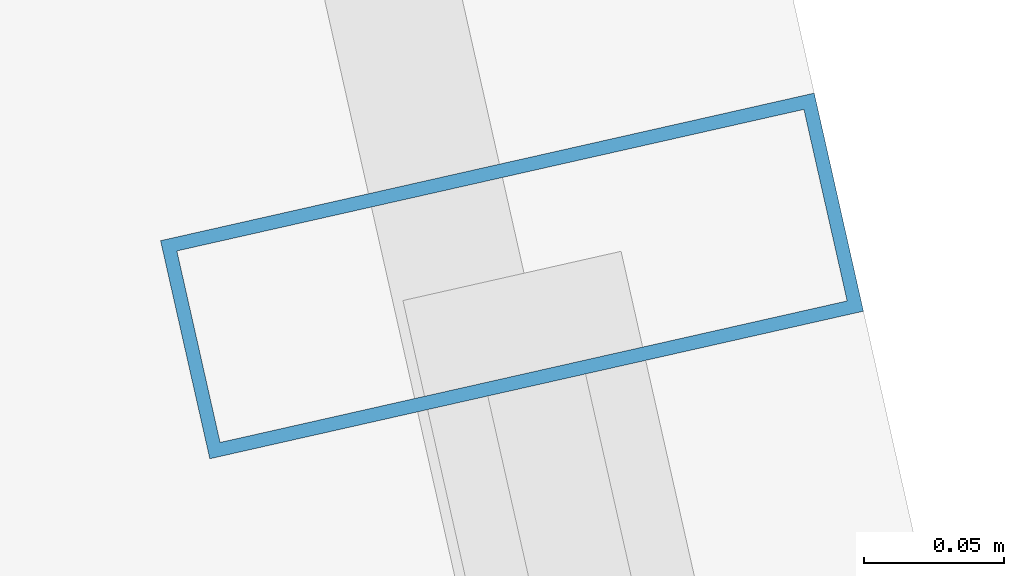
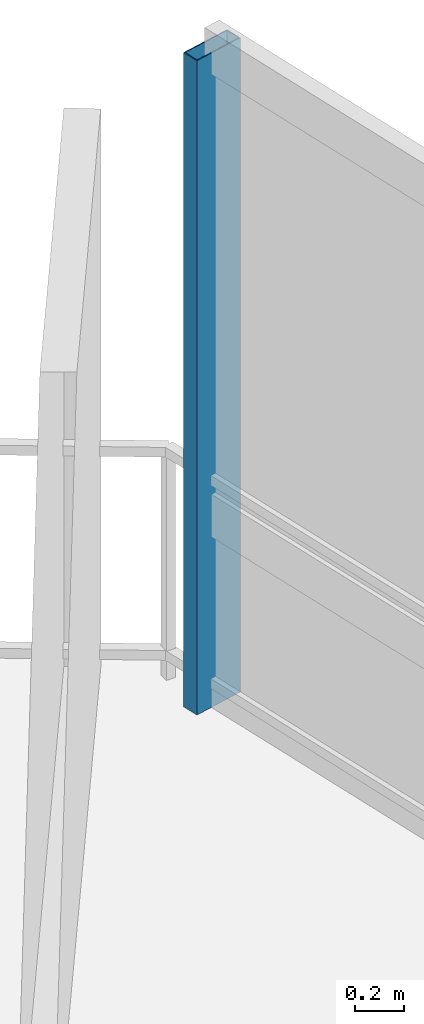
# One storey, part 12 of 19: 1 member, 1 element without a shape of its own.
"""IFC4 building model written with IfcOpenShell, lengths in metres."""

import ifcopenshell
import ifcopenshell.guid

model = None  # the IFC model being written
_history = None  # IfcOwnerHistory: only IFC2X3 demands one
_inside = {}  # id of a spatial element -> (the spatial element, [elements in it])
_under = {}  # id of a project, library or spatial element -> (it, [spatial elements below it])
_declared = {}  # id of a project -> (the project, [libraries it declares])
_typed = {}  # id of a type object -> (the type object, [elements of that type])
_made_of = {}  # id of a material, layer set ... -> (it, [elements and type objects made of it])


def new_model(schema):
    """Start an empty IFC model of exactly this schema.

    Asked for "IFC4X3", IfcOpenShell would pick the latest addendum, in which some entities
    have other attributes; the version numbers below select the first issue.
    IFC2X3 requires an IfcOwnerHistory on every rooted entity: one is made here for all.
    """
    global model, _history
    if schema == "IFC4X3":
        model = ifcopenshell.file(schema_version=(4, 3, 0, 0))
    else:
        model = ifcopenshell.file(schema=schema)
    _inside.clear()
    _under.clear()
    _declared.clear()
    _typed.clear()
    _made_of.clear()
    _history = None
    if model.schema == "IFC2X3":
        org = make("IfcOrganization", Name="unknown")
        user = make(
            "IfcPersonAndOrganization",
            ThePerson=make("IfcPerson", FamilyName="unknown"),
            TheOrganization=org,
        )
        app = make(
            "IfcApplication",
            ApplicationDeveloper=org,
            Version="unknown",
            ApplicationFullName="unknown",
            ApplicationIdentifier="unknown",
        )
        _history = make(
            "IfcOwnerHistory",
            OwningUser=user,
            OwningApplication=app,
            ChangeAction="ADDED",
            CreationDate=0,
        )
    return model


def make(cls, **values):
    """One entity of the class cls with the attributes given. An attribute that is None is left unset."""
    return model.create_entity(
        cls, **{name: value for name, value in values.items() if value is not None}
    )


def rooted(cls, **values):
    """An entity with a GlobalId (a new one), such as an element, a storey or a relation."""
    return make(cls, GlobalId=ifcopenshell.guid.new(), OwnerHistory=_history, **values)


def si_unit(unit_type, name, prefix=None):
    """IfcSIUnit, for example si_unit("LENGTHUNIT", "METRE", prefix="MILLI")."""
    return make("IfcSIUnit", UnitType=unit_type, Prefix=prefix, Name=name)


def assignment(units):
    """IfcUnitAssignment: the units of a project."""
    return None if units is None else make("IfcUnitAssignment", Units=units)


def point(xyz):
    """IfcCartesianPoint."""
    return None if xyz is None else make("IfcCartesianPoint", Coordinates=xyz)


def direction(xyz):
    """IfcDirection."""
    return None if xyz is None else make("IfcDirection", DirectionRatios=xyz)


def frame(location, z_axis=None, x_axis=None):
    """IfcAxis2Placement3D, a coordinate frame: its origin and axes. An axis left out is left unset."""
    return make(
        "IfcAxis2Placement3D",
        Location=point(location),
        Axis=direction(z_axis),
        RefDirection=direction(x_axis),
    )


def frame_2d(location, x_axis=None):
    """IfcAxis2Placement2D, a coordinate frame in the plane: its origin and x axis."""
    return make(
        "IfcAxis2Placement2D", Location=point(location), RefDirection=direction(x_axis)
    )


def origin():
    """The frame at (0, 0, 0) with its axes left unset."""
    return frame((0.0, 0.0, 0.0))


def origin_2d():
    """The frame at (0, 0) in the plane with its x axis left unset."""
    return frame_2d((0.0, 0.0))


def place(relative_to, where):
    """IfcLocalPlacement: puts the frame where relative to a parent placement (None: the world)."""
    return make(
        "IfcLocalPlacement", PlacementRelTo=relative_to, RelativePlacement=where
    )


def context(
    kind, dimensions, precision=None, world=None, true_north=None, identifier=None
):
    """IfcGeometricRepresentationContext, for example the 3D "Model" context."""
    return make(
        "IfcGeometricRepresentationContext",
        ContextIdentifier=identifier,
        ContextType=kind,
        CoordinateSpaceDimension=dimensions,
        Precision=precision,
        WorldCoordinateSystem=world,
        TrueNorth=true_north,
    )


def subcontext(parent, identifier, kind, view, scale=None):
    """IfcGeometricRepresentationSubContext, for example "Body" below "Model"."""
    return make(
        "IfcGeometricRepresentationSubContext",
        ContextIdentifier=identifier,
        ContextType=kind,
        ParentContext=parent,
        TargetScale=scale,
        TargetView=view,
    )


def project(units=None, contexts=None):
    """IfcProject with its units and contexts."""
    return rooted(
        "IfcProject",
        Name="project",
        RepresentationContexts=contexts,
        UnitsInContext=assignment(units),
    )


def spatial(cls, under=None, at=None, **own):
    """A site, building, storey or space (cls), placed at a placement, below another one or the project."""
    s = rooted(cls, ObjectPlacement=at, **own)
    if under is not None:
        _under.setdefault(under.id(), (under, []))[1].append(s)
    return s


def profile(cls, at=None, kind="AREA", **sizes):
    """A parametric profile (cls). Its sizes go by their IFC names, for example OverallWidth=200.0."""
    return make(cls, ProfileType=kind, Position=at, **sizes)


def hollow_rectangle(**sizes):
    """IfcRectangleHollowProfileDef."""
    return profile("IfcRectangleHollowProfileDef", **sizes)


def extrude(swept, where, along, depth):
    """IfcExtrudedAreaSolid: the profile swept, set in the frame where, extruded along a direction by depth."""
    return make(
        "IfcExtrudedAreaSolid",
        SweptArea=swept,
        Position=where,
        ExtrudedDirection=direction(along),
        Depth=depth,
    )


def shape(context_of_items, identifier, shape_type, items):
    """IfcShapeRepresentation: the items that make up one representation, for example the "Body"."""
    return make(
        "IfcShapeRepresentation",
        ContextOfItems=context_of_items,
        RepresentationIdentifier=identifier,
        RepresentationType=shape_type,
        Items=items,
    )


def material(Name=None, Category=None):
    """IfcMaterial."""
    return make("IfcMaterial", Name=Name, Category=Category)


def layer(
    of_material, thickness, ventilated=None, Name=None, Category=None, Priority=None
):
    """IfcMaterialLayer: one layer of a wall or slab, of a material (None: an air gap)."""
    return make(
        "IfcMaterialLayer",
        Material=of_material,
        LayerThickness=thickness,
        IsVentilated=ventilated,
        Name=Name,
        Category=Category,
        Priority=Priority,
    )


def layer_set(layers, Name=None):
    """IfcMaterialLayerSet."""
    return make("IfcMaterialLayerSet", MaterialLayers=layers, LayerSetName=Name)


def material_profile(
    of_material, cross_section, Name=None, Category=None, Priority=None
):
    """IfcMaterialProfile: a cross section and its material."""
    return make(
        "IfcMaterialProfile",
        Name=Name,
        Material=of_material,
        Profile=cross_section,
        Priority=Priority,
        Category=Category,
    )


def profile_set(profiles, Name=None, composite=None):
    """IfcMaterialProfileSet."""
    return make(
        "IfcMaterialProfileSet",
        Name=Name,
        MaterialProfiles=profiles,
        CompositeProfile=composite,
    )


def made_of(thing, what):
    """Note that an element or type object is made of a material, layer set ...; save() writes the relation."""
    if what is not None:
        _made_of.setdefault(what.id(), (what, []))[1].append(thing)
    return thing


def type_object(cls, material=None, **own):
    """A type object (cls), such as IfcWallType, which elements share."""
    return made_of(rooted(cls, **own), material)


def element(
    cls,
    number,
    at=None,
    inside=None,
    cuts=None,
    type_object=None,
    material=None,
    context=None,
    identifier="Body",
    shape_type=None,
    held_by="IfcProductDefinitionShape",
    body=None,
    shapes=None,
    **own,
):
    """One element of the class cls, such as IfcWall. Its Tag is "e" and its number.

    at: its placement. inside: the storey or other place that contains it. cuts: it is an
    opening in that element (IfcRelVoidsElement). A single representation is given by context,
    identifier, shape_type and body (its items); several are given by shapes. held_by: the class
    of the entity that holds the representations. save() writes the other relations.
    """
    e = rooted(cls, Tag="e%d" % number, ObjectPlacement=at, **own)
    if body is not None:
        shapes = [shape(context, identifier, shape_type, body)]
    if shapes is not None:
        e.Representation = make(held_by, Representations=shapes)
    if inside is not None:
        _inside.setdefault(inside.id(), (inside, []))[1].append(e)
    if cuts is not None:
        rooted(
            "IfcRelVoidsElement", RelatingBuildingElement=cuts, RelatedOpeningElement=e
        )
    if type_object is not None:
        _typed.setdefault(type_object.id(), (type_object, []))[1].append(e)
    return made_of(e, material)


def aggregate(whole, parts):
    """IfcRelAggregates: a whole, such as a stair, and the parts it consists of."""
    return rooted("IfcRelAggregates", RelatingObject=whole, RelatedObjects=parts)


def save(model, path):
    """Write the relations noted so far, then the file.

    IfcRelAggregates (storeys below a building ...), IfcRelContainedInSpatialStructure (elements
    in a storey), IfcRelDefinesByType, IfcRelAssociatesMaterial and IfcRelDeclares: one each for
    every whole, place, type object, material and project.
    """
    for whole, parts in _under.values():
        aggregate(whole, parts)
    for where, things in _inside.values():
        rooted(
            "IfcRelContainedInSpatialStructure",
            RelatedElements=things,
            RelatingStructure=where,
        )
    for kind, things in _typed.values():
        rooted("IfcRelDefinesByType", RelatedObjects=things, RelatingType=kind)
    for what, things in _made_of.values():
        rooted("IfcRelAssociatesMaterial", RelatedObjects=things, RelatingMaterial=what)
    for by, libraries in _declared.values():
        rooted("IfcRelDeclares", RelatingContext=by, RelatedDefinitions=libraries)
    model.write(path)


model = new_model("IFC4")

# Units and contexts
model_context = context("Model", 3, precision=1e-05, world=origin(), true_north=direction((0.0, 1.0)))
body_context = subcontext(model_context, "Body", "Model", "MODEL_VIEW")
ifc_project = project(units=[si_unit("LENGTHUNIT", "METRE"), si_unit("AREAUNIT", "SQUARE_METRE"), si_unit("VOLUMEUNIT", "CUBIC_METRE"), si_unit("PLANEANGLEUNIT", "RADIAN"), si_unit("MASSUNIT", "GRAM", prefix="KILO")], contexts=[model_context])

# Site, building, storey
site_placement = place(None, origin())
site = spatial("IfcSite", under=ifc_project, at=site_placement, CompositionType="ELEMENT")
building_placement = place(site_placement, origin())
building = spatial("IfcBuilding", under=site, at=building_placement, Name="Qarnah Convention Tower", CompositionType="ELEMENT")
storey_placement = place(building_placement, frame((0.0, 0.0, 228.300048828125)))
storey = spatial("IfcBuildingStorey", under=building, at=storey_placement, Name="L61", CompositionType="ELEMENT", Elevation=228.300048828125)

# Curtain wall, member
ifc_material_1 = material(Name="Tempered Low-E dark glass", Category="glass")
ifc_layer = layer(ifc_material_1, 0.176025390625)
ifc_layer_set = layer_set([ifc_layer], Name="Tempered Low-E dark glass")
curtain_wall_type = type_object("IfcCurtainWallType", Name="CWS-05", PredefinedType="NOTDEFINED", material=ifc_layer_set)
curtain_wall_placement = place(storey_placement, origin())
curtain_wall = element("IfcCurtainWall", 1, at=curtain_wall_placement, inside=storey, type_object=curtain_wall_type, Name="L61 unitised curtain wall CW-L61-F2", PredefinedType="NOTDEFINED")
ifc_material_2 = material(Name="Black anodised aluminium", Category="aluminium")
ifc_material_profile = material_profile(ifc_material_2, hollow_rectangle(XDim=0.080078125, YDim=0.239990234375, WallThickness=0.0048828125, at=origin_2d()), Name="MUL-80X240")
ifc_profile_set = profile_set([ifc_material_profile], Name="Black anodised aluminium")
member_type = type_object("IfcMemberType", Name="MUL-T5", PredefinedType="MULLION", material=ifc_profile_set)
member_placement = place(storey_placement, frame((49.1650390625, 43.843994140625, 0.0), z_axis=(0.0, 0.0, 1.0), x_axis=(0.220179770562, -0.975459311625, 0.0)))
member = element("IfcMember", 2, at=member_placement, type_object=member_type, Name="CW-L61-F2 mullion 1", PredefinedType="MULLION", context=body_context, shape_type="SweptSolid", body=[
    extrude(hollow_rectangle(XDim=0.080078125, YDim=0.239990234375, WallThickness=0.0048828125, at=origin_2d()), origin(), (0.0, 0.0, 1.0), 3.239990234375),
])
aggregate(curtain_wall, [member])

save(model, "model.ifc")
